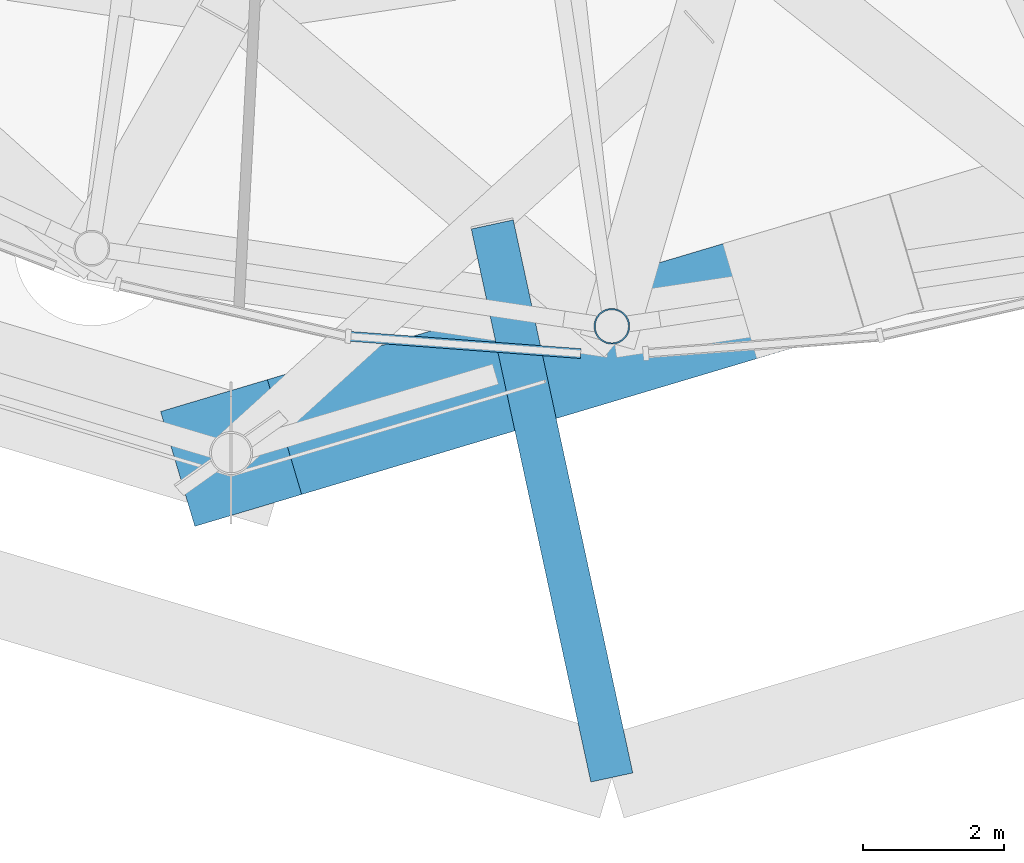
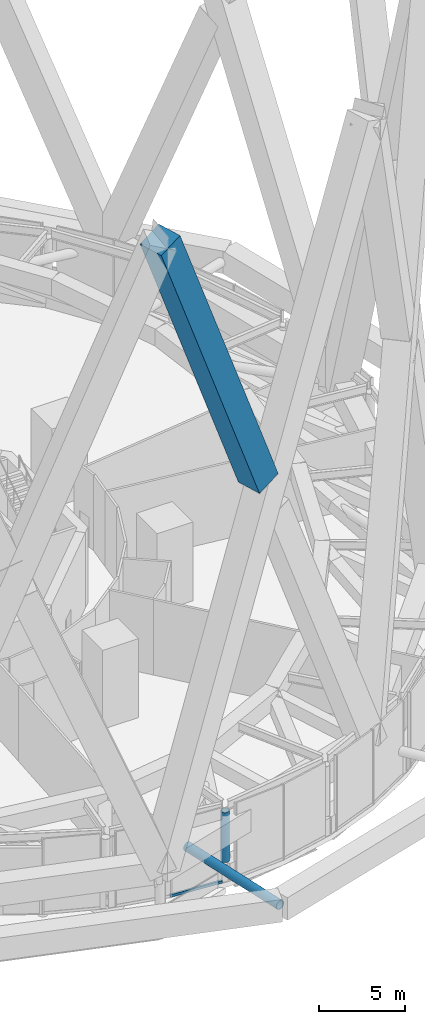
# One storey, part 8 of 51: 4 members, 1 element without a shape of its own.
"""IFC4 building model written with IfcOpenShell, lengths in metres."""

import ifcopenshell
import ifcopenshell.guid

model = None  # the IFC model being written
_history = None  # IfcOwnerHistory: only IFC2X3 demands one
_inside = {}  # id of a spatial element -> (the spatial element, [elements in it])
_under = {}  # id of a project, library or spatial element -> (it, [spatial elements below it])
_declared = {}  # id of a project -> (the project, [libraries it declares])
_typed = {}  # id of a type object -> (the type object, [elements of that type])
_made_of = {}  # id of a material, layer set ... -> (it, [elements and type objects made of it])


def new_model(schema):
    """Start an empty IFC model of exactly this schema.

    Asked for "IFC4X3", IfcOpenShell would pick the latest addendum, in which some entities
    have other attributes; the version numbers below select the first issue.
    IFC2X3 requires an IfcOwnerHistory on every rooted entity: one is made here for all.
    """
    global model, _history
    if schema == "IFC4X3":
        model = ifcopenshell.file(schema_version=(4, 3, 0, 0))
    else:
        model = ifcopenshell.file(schema=schema)
    _inside.clear()
    _under.clear()
    _declared.clear()
    _typed.clear()
    _made_of.clear()
    _history = None
    if model.schema == "IFC2X3":
        org = make("IfcOrganization", Name="unknown")
        user = make(
            "IfcPersonAndOrganization",
            ThePerson=make("IfcPerson", FamilyName="unknown"),
            TheOrganization=org,
        )
        app = make(
            "IfcApplication",
            ApplicationDeveloper=org,
            Version="unknown",
            ApplicationFullName="unknown",
            ApplicationIdentifier="unknown",
        )
        _history = make(
            "IfcOwnerHistory",
            OwningUser=user,
            OwningApplication=app,
            ChangeAction="ADDED",
            CreationDate=0,
        )
    return model


def make(cls, **values):
    """One entity of the class cls with the attributes given. An attribute that is None is left unset."""
    return model.create_entity(
        cls, **{name: value for name, value in values.items() if value is not None}
    )


def rooted(cls, **values):
    """An entity with a GlobalId (a new one), such as an element, a storey or a relation."""
    return make(cls, GlobalId=ifcopenshell.guid.new(), OwnerHistory=_history, **values)


def si_unit(unit_type, name, prefix=None):
    """IfcSIUnit, for example si_unit("LENGTHUNIT", "METRE", prefix="MILLI")."""
    return make("IfcSIUnit", UnitType=unit_type, Prefix=prefix, Name=name)


def assignment(units):
    """IfcUnitAssignment: the units of a project."""
    return None if units is None else make("IfcUnitAssignment", Units=units)


def point(xyz):
    """IfcCartesianPoint."""
    return None if xyz is None else make("IfcCartesianPoint", Coordinates=xyz)


def direction(xyz):
    """IfcDirection."""
    return None if xyz is None else make("IfcDirection", DirectionRatios=xyz)


def frame(location, z_axis=None, x_axis=None):
    """IfcAxis2Placement3D, a coordinate frame: its origin and axes. An axis left out is left unset."""
    return make(
        "IfcAxis2Placement3D",
        Location=point(location),
        Axis=direction(z_axis),
        RefDirection=direction(x_axis),
    )


def frame_2d(location, x_axis=None):
    """IfcAxis2Placement2D, a coordinate frame in the plane: its origin and x axis."""
    return make(
        "IfcAxis2Placement2D", Location=point(location), RefDirection=direction(x_axis)
    )


def origin():
    """The frame at (0, 0, 0) with its axes left unset."""
    return frame((0.0, 0.0, 0.0))


def origin_2d():
    """The frame at (0, 0) in the plane with its x axis left unset."""
    return frame_2d((0.0, 0.0))


def place(relative_to, where):
    """IfcLocalPlacement: puts the frame where relative to a parent placement (None: the world)."""
    return make(
        "IfcLocalPlacement", PlacementRelTo=relative_to, RelativePlacement=where
    )


def context(
    kind, dimensions, precision=None, world=None, true_north=None, identifier=None
):
    """IfcGeometricRepresentationContext, for example the 3D "Model" context."""
    return make(
        "IfcGeometricRepresentationContext",
        ContextIdentifier=identifier,
        ContextType=kind,
        CoordinateSpaceDimension=dimensions,
        Precision=precision,
        WorldCoordinateSystem=world,
        TrueNorth=true_north,
    )


def subcontext(parent, identifier, kind, view, scale=None):
    """IfcGeometricRepresentationSubContext, for example "Body" below "Model"."""
    return make(
        "IfcGeometricRepresentationSubContext",
        ContextIdentifier=identifier,
        ContextType=kind,
        ParentContext=parent,
        TargetScale=scale,
        TargetView=view,
    )


def project(units=None, contexts=None):
    """IfcProject with its units and contexts."""
    return rooted(
        "IfcProject",
        Name="project",
        RepresentationContexts=contexts,
        UnitsInContext=assignment(units),
    )


def spatial(cls, under=None, at=None, **own):
    """A site, building, storey or space (cls), placed at a placement, below another one or the project."""
    s = rooted(cls, ObjectPlacement=at, **own)
    if under is not None:
        _under.setdefault(under.id(), (under, []))[1].append(s)
    return s


def profile(cls, at=None, kind="AREA", **sizes):
    """A parametric profile (cls). Its sizes go by their IFC names, for example OverallWidth=200.0."""
    return make(cls, ProfileType=kind, Position=at, **sizes)


def rectangle(**sizes):
    """IfcRectangleProfileDef."""
    return profile("IfcRectangleProfileDef", **sizes)


def hollow_circle(**sizes):
    """IfcCircleHollowProfileDef."""
    return profile("IfcCircleHollowProfileDef", **sizes)


def extrude(swept, where, along, depth):
    """IfcExtrudedAreaSolid: the profile swept, set in the frame where, extruded along a direction by depth."""
    return make(
        "IfcExtrudedAreaSolid",
        SweptArea=swept,
        Position=where,
        ExtrudedDirection=direction(along),
        Depth=depth,
    )


def shape(context_of_items, identifier, shape_type, items):
    """IfcShapeRepresentation: the items that make up one representation, for example the "Body"."""
    return make(
        "IfcShapeRepresentation",
        ContextOfItems=context_of_items,
        RepresentationIdentifier=identifier,
        RepresentationType=shape_type,
        Items=items,
    )


def material(Name=None, Category=None):
    """IfcMaterial."""
    return make("IfcMaterial", Name=Name, Category=Category)


def layer(
    of_material, thickness, ventilated=None, Name=None, Category=None, Priority=None
):
    """IfcMaterialLayer: one layer of a wall or slab, of a material (None: an air gap)."""
    return make(
        "IfcMaterialLayer",
        Material=of_material,
        LayerThickness=thickness,
        IsVentilated=ventilated,
        Name=Name,
        Category=Category,
        Priority=Priority,
    )


def layer_set(layers, Name=None):
    """IfcMaterialLayerSet."""
    return make("IfcMaterialLayerSet", MaterialLayers=layers, LayerSetName=Name)


def material_profile(
    of_material, cross_section, Name=None, Category=None, Priority=None
):
    """IfcMaterialProfile: a cross section and its material."""
    return make(
        "IfcMaterialProfile",
        Name=Name,
        Material=of_material,
        Profile=cross_section,
        Priority=Priority,
        Category=Category,
    )


def profile_set(profiles, Name=None, composite=None):
    """IfcMaterialProfileSet."""
    return make(
        "IfcMaterialProfileSet",
        Name=Name,
        MaterialProfiles=profiles,
        CompositeProfile=composite,
    )


def made_of(thing, what):
    """Note that an element or type object is made of a material, layer set ...; save() writes the relation."""
    if what is not None:
        _made_of.setdefault(what.id(), (what, []))[1].append(thing)
    return thing


def type_object(cls, material=None, **own):
    """A type object (cls), such as IfcWallType, which elements share."""
    return made_of(rooted(cls, **own), material)


def element(
    cls,
    number,
    at=None,
    inside=None,
    cuts=None,
    type_object=None,
    material=None,
    context=None,
    identifier="Body",
    shape_type=None,
    held_by="IfcProductDefinitionShape",
    body=None,
    shapes=None,
    **own,
):
    """One element of the class cls, such as IfcWall. Its Tag is "e" and its number.

    at: its placement. inside: the storey or other place that contains it. cuts: it is an
    opening in that element (IfcRelVoidsElement). A single representation is given by context,
    identifier, shape_type and body (its items); several are given by shapes. held_by: the class
    of the entity that holds the representations. save() writes the other relations.
    """
    e = rooted(cls, Tag="e%d" % number, ObjectPlacement=at, **own)
    if body is not None:
        shapes = [shape(context, identifier, shape_type, body)]
    if shapes is not None:
        e.Representation = make(held_by, Representations=shapes)
    if inside is not None:
        _inside.setdefault(inside.id(), (inside, []))[1].append(e)
    if cuts is not None:
        rooted(
            "IfcRelVoidsElement", RelatingBuildingElement=cuts, RelatedOpeningElement=e
        )
    if type_object is not None:
        _typed.setdefault(type_object.id(), (type_object, []))[1].append(e)
    return made_of(e, material)


def aggregate(whole, parts):
    """IfcRelAggregates: a whole, such as a stair, and the parts it consists of."""
    return rooted("IfcRelAggregates", RelatingObject=whole, RelatedObjects=parts)


def save(model, path):
    """Write the relations noted so far, then the file.

    IfcRelAggregates (storeys below a building ...), IfcRelContainedInSpatialStructure (elements
    in a storey), IfcRelDefinesByType, IfcRelAssociatesMaterial and IfcRelDeclares: one each for
    every whole, place, type object, material and project.
    """
    for whole, parts in _under.values():
        aggregate(whole, parts)
    for where, things in _inside.values():
        rooted(
            "IfcRelContainedInSpatialStructure",
            RelatedElements=things,
            RelatingStructure=where,
        )
    for kind, things in _typed.values():
        rooted("IfcRelDefinesByType", RelatedObjects=things, RelatingType=kind)
    for what, things in _made_of.values():
        rooted("IfcRelAssociatesMaterial", RelatedObjects=things, RelatingMaterial=what)
    for by, libraries in _declared.values():
        rooted("IfcRelDeclares", RelatingContext=by, RelatedDefinitions=libraries)
    model.write(path)


model = new_model("IFC4")

# Units and contexts
model_context = context("Model", 3, precision=1e-05, world=origin(), true_north=direction((0.0, 1.0)))
body_context = subcontext(model_context, "Body", "Model", "MODEL_VIEW")
ifc_project = project(units=[si_unit("LENGTHUNIT", "METRE"), si_unit("AREAUNIT", "SQUARE_METRE"), si_unit("VOLUMEUNIT", "CUBIC_METRE"), si_unit("PLANEANGLEUNIT", "RADIAN"), si_unit("MASSUNIT", "GRAM", prefix="KILO")], contexts=[model_context])

# Site, building, storey
site_placement = place(None, origin())
site = spatial("IfcSite", under=ifc_project, at=site_placement, CompositionType="ELEMENT")
building_placement = place(site_placement, origin())
building = spatial("IfcBuilding", under=site, at=building_placement, Name="Nagisa Residences", CompositionType="ELEMENT")
storey_placement = place(building_placement, frame((0.0, 0.0, 67.699951171875)))
storey = spatial("IfcBuildingStorey", under=building, at=storey_placement, Name="L16", CompositionType="ELEMENT", Elevation=67.699951171875)

# Curtain wall, member
ifc_material_1 = material(Name="Aluminium curtain wall system", Category="aluminium")
ifc_layer = layer(ifc_material_1, 0.159912109375)
ifc_layer_set = layer_set([ifc_layer], Name="CW2 CURTAIN WALL")
curtain_wall_type = type_object("IfcCurtainWallType", Name="CW2 CURTAIN WALL", PredefinedType="NOTDEFINED", material=ifc_layer_set)
curtain_wall_placement = place(storey_placement, origin())
curtain_wall = element("IfcCurtainWall", 1, at=curtain_wall_placement, inside=storey, type_object=curtain_wall_type, Name="cw:CW2:L16:35", PredefinedType="NOTDEFINED")
ifc_material_2 = material(Name="Aluminium", Category="aluminium")
ifc_material_profile_1 = material_profile(ifc_material_2, rectangle(XDim=0.139892578125, YDim=0.179931640625, at=origin_2d()), Name="CW2 TRANSOM 140x180")
ifc_profile_set_1 = profile_set([ifc_material_profile_1], Name="Aluminium")
member_type_1 = type_object("IfcMemberType", Name="CW2 TRANSOM 140x180", PredefinedType="USERDEFINED", material=ifc_profile_set_1)
member_1_placement = place(storey_placement, frame((-0.17919921875, -32.637939453125, 0.090087890625), z_axis=(0.997231597908, -0.074358188078, 0.0), x_axis=(0.074358188078, 0.997231597908, 0.0)))
member_1 = element("IfcMember", 2, at=member_1_placement, type_object=member_type_1, Name="CW2 transom", ObjectType="TRANSOM", PredefinedType="USERDEFINED", context=body_context, shape_type="SweptSolid", body=[
    extrude(rectangle(XDim=0.139892578125, YDim=0.179931640625, at=origin_2d()), origin(), (0.0, 0.0, 1.0), 3.345703125),
])
aggregate(curtain_wall, [member_1])

# Members
ifc_material_3 = material(Name="Concrete C80", Category="concrete")
ifc_material_profile_2 = material_profile(ifc_material_3, rectangle(XDim=1.699951171875, YDim=1.699951171875, at=origin_2d()), Name="C80 1700x1700")
ifc_profile_set_2 = profile_set([ifc_material_profile_2], Name="Concrete C80")
member_type_2 = type_object("IfcMemberType", Name="Cage diagonal 2 C80 1700x1700", PredefinedType="BRACE", material=ifc_profile_set_2)
member_2_placement = place(storey_placement, frame((6.16796875, -31.91943359375, 27.091064453125), z_axis=(-0.351205238436, -0.104811686808, 0.930413559017), x_axis=(0.285971147664, -0.958238228575, 0.0)))
element("IfcMember", 3, at=member_2_placement, inside=storey, type_object=member_type_2, Name="mem:L16:cg2d020b", PredefinedType="BRACE", context=body_context, shape_type="SweptSolid", body=[
    extrude(rectangle(XDim=1.699951171875, YDim=1.699951171875, at=origin_2d()), origin(), (0.0, 0.0, 1.0), 22.687744140625),
])
ifc_material_4 = material(Name="Steel ASTM A572 Gr 65", Category="steel")
ifc_material_profile_3 = material_profile(ifc_material_4, hollow_circle(Radius=0.304931640625, WallThickness=0.02490234375, at=origin_2d()), Name="CHS 610x25")
ifc_profile_set_3 = profile_set([ifc_material_profile_3], Name="Steel ASTM A572 Gr 65")
member_type_3 = type_object("IfcMemberType", Name="Cage strut CHS 610x25", PredefinedType="STRUT", material=ifc_profile_set_3)
member_3_placement = place(storey_placement, frame((3.60009765625, -38.89990234375, 1.900146484375), z_axis=(-0.211277816249, 0.977426050584, 0.0), x_axis=(-0.977426050584, -0.211277816249, 0.0)))
element("IfcMember", 4, at=member_3_placement, inside=storey, type_object=member_type_3, Name="mem:L16:bt1st1a10", PredefinedType="STRUT", context=body_context, shape_type="SweptSolid", body=[
    extrude(hollow_circle(Radius=0.304931640625, WallThickness=0.02490234375, at=origin_2d()), origin(), (0.0, 0.0, 1.0), 8.0263671875),
])
ifc_material_5 = material(Name="Steel ASTM A572 Gr 65", Category="steel")
ifc_material_profile_4 = material_profile(ifc_material_5, hollow_circle(Radius=0.25390625, WallThickness=0.02001953125, at=origin_2d()), Name="CHS 508x20")
ifc_profile_set_4 = profile_set([ifc_material_profile_4], Name="Steel ASTM A572 Gr 65")
member_type_4 = type_object("IfcMemberType", Name="Garden edge post CHS 508x20", PredefinedType="POST", material=ifc_profile_set_4)
member_4_placement = place(storey_placement, frame((3.60009765625, -32.5, 1.199951171875), z_axis=(0.0, 0.0, 1.0), x_axis=(1.0, 0.0, 0.0)))
element("IfcMember", 5, at=member_4_placement, inside=storey, type_object=member_type_4, Name="mem:L16:gp119", PredefinedType="POST", context=body_context, shape_type="SweptSolid", body=[
    extrude(hollow_circle(Radius=0.25390625, WallThickness=0.02001953125, at=origin_2d()), origin(), (0.0, 0.0, 1.0), 3.537109375),
])

save(model, "model.ifc")
